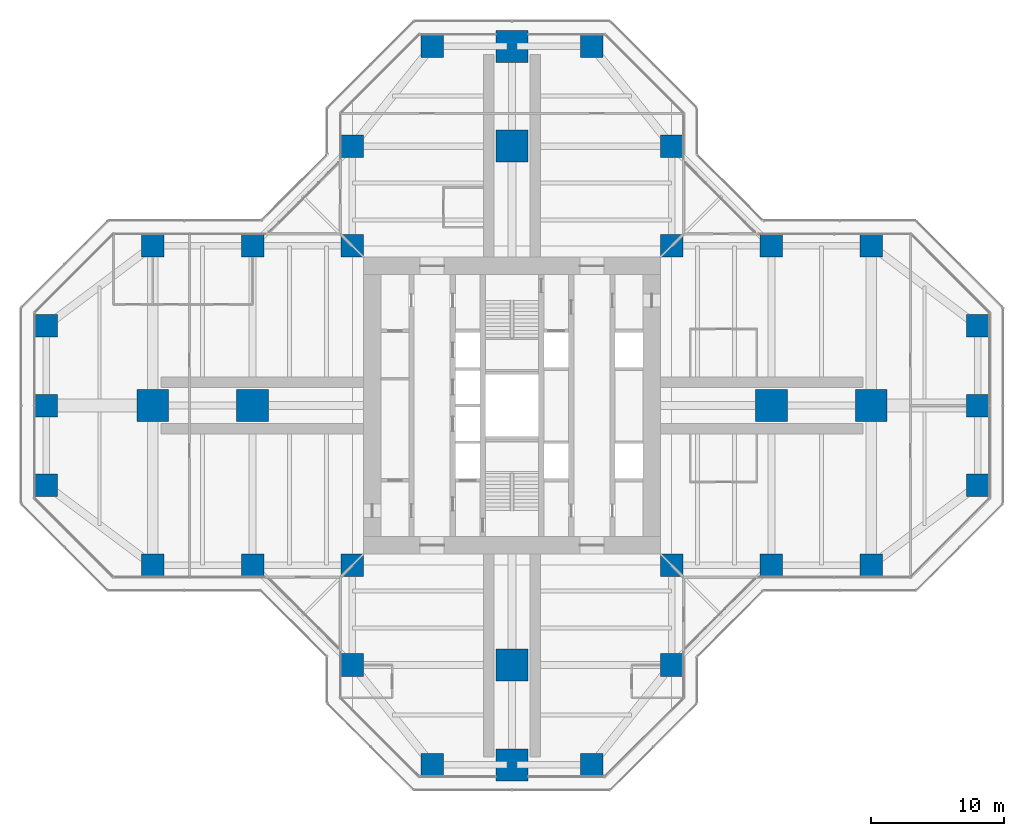
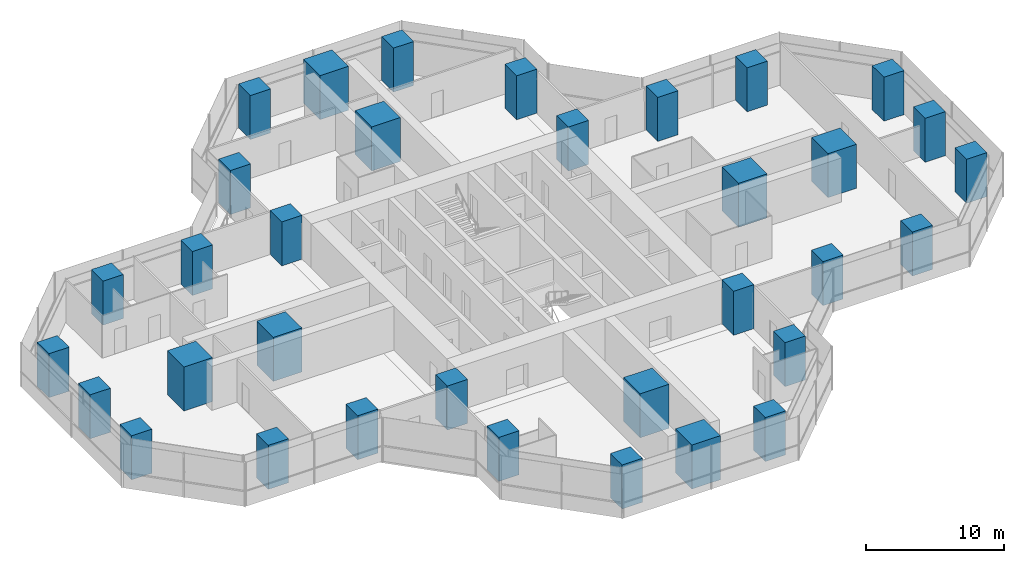
# One storey, part 1 of 19: 34 columns.
"""IFC4 building model written with IfcOpenShell, lengths in metres."""

from ifc_helpers import new_model, si_unit, direction, frame, origin, origin_2d, place, context, subcontext, project, spatial, rectangle, extrude, material, material_profile, profile_set, type_object, element, save


model = new_model("IFC4")

# Units and contexts
model_context = context("Model", 3, precision=1e-05, world=origin(), true_north=direction((0.0, 1.0)))
body_context = subcontext(model_context, "Body", "Model", "MODEL_VIEW")
ifc_project = project(units=[si_unit("LENGTHUNIT", "METRE"), si_unit("AREAUNIT", "SQUARE_METRE"), si_unit("VOLUMEUNIT", "CUBIC_METRE"), si_unit("PLANEANGLEUNIT", "RADIAN"), si_unit("MASSUNIT", "GRAM", prefix="KILO")], contexts=[model_context])

# Site, building, storey
site_placement = place(None, origin())
site = spatial("IfcSite", under=ifc_project, at=site_placement, CompositionType="ELEMENT")
building_placement = place(site_placement, origin())
building = spatial("IfcBuilding", under=site, at=building_placement, Name="Mizan Broadcast Tower", CompositionType="ELEMENT")
storey_placement = place(building_placement, frame((0.0, 0.0, 163.199951171875)))
storey = spatial("IfcBuildingStorey", under=building, at=storey_placement, Name="L37", CompositionType="ELEMENT", Elevation=163.199951171875)

# Columns
ifc_material_1 = material(Name="Concrete C70/85", Category="concrete")
ifc_material_profile_1 = material_profile(ifc_material_1, rectangle(XDim=1.699951171875, YDim=1.699951171875, at=origin_2d()), Name="RC 1700x1700")
ifc_profile_set_1 = profile_set([ifc_material_profile_1], Name="Concrete C70/85")
column_type_1 = type_object("IfcColumnType", Name="RC COLUMN 1700x1700 C70/85", PredefinedType="COLUMN", material=ifc_profile_set_1)
for number, where, z_axis, x_axis, name in (
    (1, (-6.0, -27.0, 0.0), (0.0, 0.0, 1.0), (1.0, 0.0, 0.0), "Column 5/B L37"),
    (2, (6.0, -27.0, 0.0), (0.0, 0.0, 1.0), (1.0, 0.0, 0.0), "Column 7/B L37"),
    (3, (-12.0, -19.5, 0.0), (0.0, 0.0, 1.0), (1.0, 0.0, 0.0), "Column 4/C L37"),
    (4, (12.0, -19.5, 0.0), (0.0, 0.0, 1.0), (1.0, 0.0, 0.0), "Column 8/C L37"),
    (5, (-27.0, -12.0, 0.0), (0.0, 0.0, 1.0), (1.0, 0.0, 0.0), "Column 2/D L37"),
    (6, (-19.5, -12.0, 0.0), (0.0, 0.0, 1.0), (1.0, 0.0, 0.0), "Column 3/D L37"),
    (7, (-12.0, -12.0, 0.0), (0.0, 0.0, 1.0), (1.0, 0.0, 0.0), "Column 4/D L37"),
    (8, (12.0, -12.0, 0.0), (0.0, 0.0, 1.0), (1.0, 0.0, 0.0), "Column 8/D L37"),
    (9, (19.5, -12.0, 0.0), (0.0, 0.0, 1.0), (1.0, 0.0, 0.0), "Column 9/D L37"),
    (10, (27.0, -12.0, 0.0), (0.0, 0.0, 1.0), (1.0, 0.0, 0.0), "Column 10/D L37"),
    (11, (-35.0, -6.0, 0.0), (0.0, 0.0, 1.0), (1.0, 0.0, 0.0), "Column 1/E L37"),
    (12, (35.0, -6.0, 0.0), (0.0, 0.0, 1.0), (1.0, 0.0, 0.0), "Column 11/E L37"),
    (13, (-35.0, 0.0, 0.0), (0.0, 0.0, 1.0), (1.0, 0.0, 0.0), "Column 1/F L37"),
    (14, (35.0, 0.0, 0.0), (0.0, 0.0, 1.0), (1.0, 0.0, 0.0), "Column 11/F L37"),
    (15, (-35.0, 6.0, 0.0), (0.0, 0.0, 1.0), (1.0, 0.0, 0.0), "Column 1/G L37"),
    (16, (35.0, 6.0, 0.0), (0.0, 0.0, 1.0), (1.0, 0.0, 0.0), "Column 11/G L37"),
    (17, (-27.0, 12.0, 0.0), (0.0, 0.0, 1.0), (1.0, 0.0, 0.0), "Column 2/H L37"),
    (18, (-19.5, 12.0, 0.0), (0.0, 0.0, 1.0), (1.0, 0.0, 0.0), "Column 3/H L37"),
    (19, (-12.0, 12.0, 0.0), (0.0, 0.0, 1.0), (1.0, 0.0, 0.0), "Column 4/H L37"),
    (20, (12.0, 12.0, 0.0), (0.0, 0.0, 1.0), (1.0, 0.0, 0.0), "Column 8/H L37"),
    (21, (19.5, 12.0, 0.0), (0.0, 0.0, 1.0), (1.0, 0.0, 0.0), "Column 9/H L37"),
    (22, (27.0, 12.0, 0.0), (0.0, 0.0, 1.0), (1.0, 0.0, 0.0), "Column 10/H L37"),
    (23, (-12.0, 19.5, 0.0), (0.0, 0.0, 1.0), (1.0, 0.0, 0.0), "Column 4/J L37"),
    (24, (12.0, 19.5, 0.0), (0.0, 0.0, 1.0), (1.0, 0.0, 0.0), "Column 8/J L37"),
    (25, (-6.0, 27.0, 0.0), (0.0, 0.0, 1.0), (1.0, 0.0, 0.0), "Column 5/K L37"),
    (26, (6.0, 27.0, 0.0), (0.0, 0.0, 1.0), (1.0, 0.0, 0.0), "Column 7/K L37"),
):
    element("IfcColumn", number, at=place(storey_placement, frame(where, z_axis=z_axis, x_axis=x_axis)), inside=storey, type_object=column_type_1, Name=name, PredefinedType="COLUMN", context=body_context, shape_type="SweptSolid", body=[
        extrude(rectangle(XDim=1.699951171875, YDim=1.699951171875, at=origin_2d()), origin(), (0.0, 0.0, 1.0), 3.900146484375),
    ])
ifc_material_2 = material(Name="Concrete C70/85", Category="concrete")
ifc_material_profile_2 = material_profile(ifc_material_2, rectangle(XDim=2.39990234375, YDim=2.39990234375, at=origin_2d()), Name="RC 2400x2400")
ifc_profile_set_2 = profile_set([ifc_material_profile_2], Name="Concrete C70/85")
column_type_2 = type_object("IfcColumnType", Name="RC COLUMN 2400x2400 C70/85", PredefinedType="COLUMN", material=ifc_profile_set_2)
for number, where, z_axis, x_axis, name in (
    (27, (0.0, -27.0, 0.0), (0.0, 0.0, 1.0), (1.0, 0.0, 0.0), "Column 6/B L37"),
    (28, (0.0, -19.5, 0.0), (0.0, 0.0, 1.0), (1.0, 0.0, 0.0), "Column 6/C L37"),
    (29, (-27.0, 0.0, 0.0), (0.0, 0.0, 1.0), (1.0, 0.0, 0.0), "Column 2/F L37"),
    (30, (-19.5, 0.0, 0.0), (0.0, 0.0, 1.0), (1.0, 0.0, 0.0), "Column 3/F L37"),
    (31, (19.5, 0.0, 0.0), (0.0, 0.0, 1.0), (1.0, 0.0, 0.0), "Column 9/F L37"),
    (32, (27.0, 0.0, 0.0), (0.0, 0.0, 1.0), (1.0, 0.0, 0.0), "Column 10/F L37"),
    (33, (0.0, 19.5, 0.0), (0.0, 0.0, 1.0), (1.0, 0.0, 0.0), "Column 6/J L37"),
    (34, (0.0, 27.0, 0.0), (0.0, 0.0, 1.0), (1.0, 0.0, 0.0), "Column 6/K L37"),
):
    element("IfcColumn", number, at=place(storey_placement, frame(where, z_axis=z_axis, x_axis=x_axis)), inside=storey, type_object=column_type_2, Name=name, PredefinedType="COLUMN", context=body_context, shape_type="SweptSolid", body=[
        extrude(rectangle(XDim=2.39990234375, YDim=2.39990234375, at=origin_2d()), origin(), (0.0, 0.0, 1.0), 3.900146484375),
    ])

save(model, "model.ifc")
